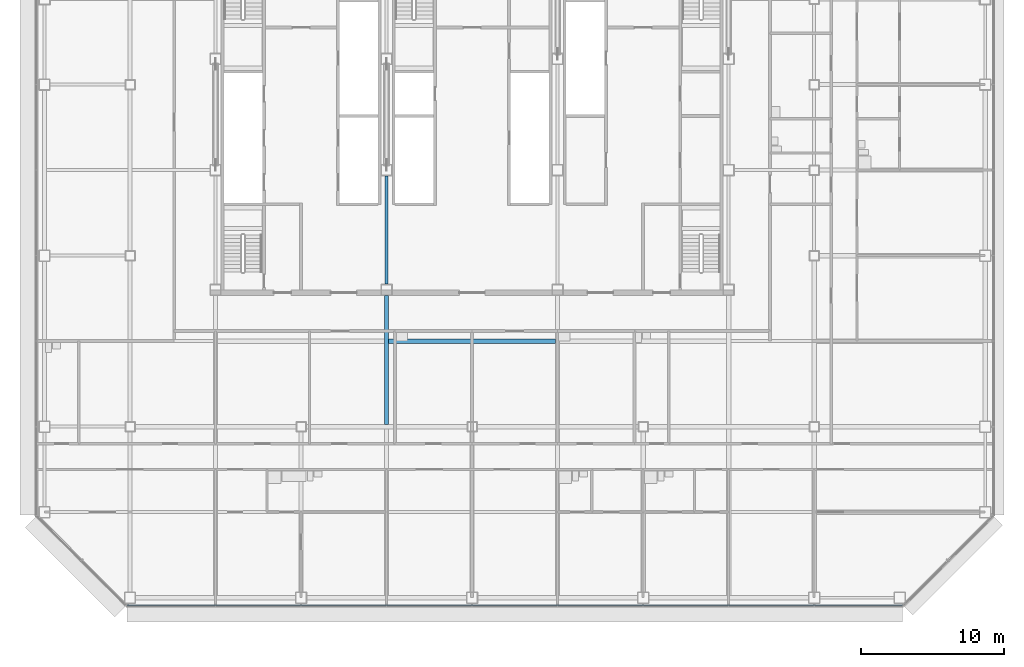
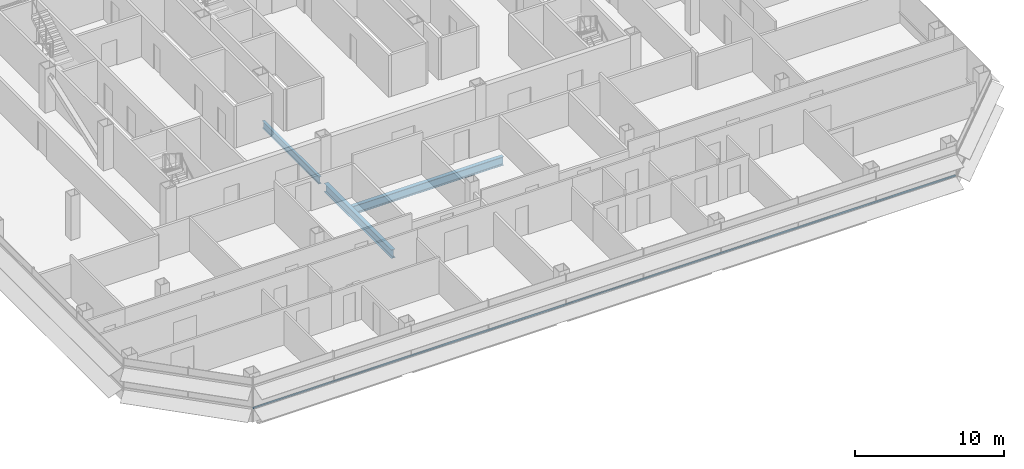
# One storey, part 7 of 25: 3 beams, 1 member, 1 element without a shape of its own.
"""IFC4 building model written with IfcOpenShell, lengths in metres."""

import ifcopenshell
import ifcopenshell.guid

model = None  # the IFC model being written
_history = None  # IfcOwnerHistory: only IFC2X3 demands one
_inside = {}  # id of a spatial element -> (the spatial element, [elements in it])
_under = {}  # id of a project, library or spatial element -> (it, [spatial elements below it])
_declared = {}  # id of a project -> (the project, [libraries it declares])
_typed = {}  # id of a type object -> (the type object, [elements of that type])
_made_of = {}  # id of a material, layer set ... -> (it, [elements and type objects made of it])


def new_model(schema):
    """Start an empty IFC model of exactly this schema.

    Asked for "IFC4X3", IfcOpenShell would pick the latest addendum, in which some entities
    have other attributes; the version numbers below select the first issue.
    IFC2X3 requires an IfcOwnerHistory on every rooted entity: one is made here for all.
    """
    global model, _history
    if schema == "IFC4X3":
        model = ifcopenshell.file(schema_version=(4, 3, 0, 0))
    else:
        model = ifcopenshell.file(schema=schema)
    _inside.clear()
    _under.clear()
    _declared.clear()
    _typed.clear()
    _made_of.clear()
    _history = None
    if model.schema == "IFC2X3":
        org = make("IfcOrganization", Name="unknown")
        user = make(
            "IfcPersonAndOrganization",
            ThePerson=make("IfcPerson", FamilyName="unknown"),
            TheOrganization=org,
        )
        app = make(
            "IfcApplication",
            ApplicationDeveloper=org,
            Version="unknown",
            ApplicationFullName="unknown",
            ApplicationIdentifier="unknown",
        )
        _history = make(
            "IfcOwnerHistory",
            OwningUser=user,
            OwningApplication=app,
            ChangeAction="ADDED",
            CreationDate=0,
        )
    return model


def make(cls, **values):
    """One entity of the class cls with the attributes given. An attribute that is None is left unset."""
    return model.create_entity(
        cls, **{name: value for name, value in values.items() if value is not None}
    )


def rooted(cls, **values):
    """An entity with a GlobalId (a new one), such as an element, a storey or a relation."""
    return make(cls, GlobalId=ifcopenshell.guid.new(), OwnerHistory=_history, **values)


def si_unit(unit_type, name, prefix=None):
    """IfcSIUnit, for example si_unit("LENGTHUNIT", "METRE", prefix="MILLI")."""
    return make("IfcSIUnit", UnitType=unit_type, Prefix=prefix, Name=name)


def assignment(units):
    """IfcUnitAssignment: the units of a project."""
    return None if units is None else make("IfcUnitAssignment", Units=units)


def point(xyz):
    """IfcCartesianPoint."""
    return None if xyz is None else make("IfcCartesianPoint", Coordinates=xyz)


def direction(xyz):
    """IfcDirection."""
    return None if xyz is None else make("IfcDirection", DirectionRatios=xyz)


def frame(location, z_axis=None, x_axis=None):
    """IfcAxis2Placement3D, a coordinate frame: its origin and axes. An axis left out is left unset."""
    return make(
        "IfcAxis2Placement3D",
        Location=point(location),
        Axis=direction(z_axis),
        RefDirection=direction(x_axis),
    )


def frame_2d(location, x_axis=None):
    """IfcAxis2Placement2D, a coordinate frame in the plane: its origin and x axis."""
    return make(
        "IfcAxis2Placement2D", Location=point(location), RefDirection=direction(x_axis)
    )


def origin():
    """The frame at (0, 0, 0) with its axes left unset."""
    return frame((0.0, 0.0, 0.0))


def origin_2d():
    """The frame at (0, 0) in the plane with its x axis left unset."""
    return frame_2d((0.0, 0.0))


def place(relative_to, where):
    """IfcLocalPlacement: puts the frame where relative to a parent placement (None: the world)."""
    return make(
        "IfcLocalPlacement", PlacementRelTo=relative_to, RelativePlacement=where
    )


def context(
    kind, dimensions, precision=None, world=None, true_north=None, identifier=None
):
    """IfcGeometricRepresentationContext, for example the 3D "Model" context."""
    return make(
        "IfcGeometricRepresentationContext",
        ContextIdentifier=identifier,
        ContextType=kind,
        CoordinateSpaceDimension=dimensions,
        Precision=precision,
        WorldCoordinateSystem=world,
        TrueNorth=true_north,
    )


def subcontext(parent, identifier, kind, view, scale=None):
    """IfcGeometricRepresentationSubContext, for example "Body" below "Model"."""
    return make(
        "IfcGeometricRepresentationSubContext",
        ContextIdentifier=identifier,
        ContextType=kind,
        ParentContext=parent,
        TargetScale=scale,
        TargetView=view,
    )


def project(units=None, contexts=None):
    """IfcProject with its units and contexts."""
    return rooted(
        "IfcProject",
        Name="project",
        RepresentationContexts=contexts,
        UnitsInContext=assignment(units),
    )


def spatial(cls, under=None, at=None, **own):
    """A site, building, storey or space (cls), placed at a placement, below another one or the project."""
    s = rooted(cls, ObjectPlacement=at, **own)
    if under is not None:
        _under.setdefault(under.id(), (under, []))[1].append(s)
    return s


def profile(cls, at=None, kind="AREA", **sizes):
    """A parametric profile (cls). Its sizes go by their IFC names, for example OverallWidth=200.0."""
    return make(cls, ProfileType=kind, Position=at, **sizes)


def rectangle(**sizes):
    """IfcRectangleProfileDef."""
    return profile("IfcRectangleProfileDef", **sizes)


def i_section(**sizes):
    """IfcIShapeProfileDef."""
    return profile("IfcIShapeProfileDef", **sizes)


def extrude(swept, where, along, depth):
    """IfcExtrudedAreaSolid: the profile swept, set in the frame where, extruded along a direction by depth."""
    return make(
        "IfcExtrudedAreaSolid",
        SweptArea=swept,
        Position=where,
        ExtrudedDirection=direction(along),
        Depth=depth,
    )


def shape(context_of_items, identifier, shape_type, items):
    """IfcShapeRepresentation: the items that make up one representation, for example the "Body"."""
    return make(
        "IfcShapeRepresentation",
        ContextOfItems=context_of_items,
        RepresentationIdentifier=identifier,
        RepresentationType=shape_type,
        Items=items,
    )


def material(Name=None, Category=None):
    """IfcMaterial."""
    return make("IfcMaterial", Name=Name, Category=Category)


def material_profile(
    of_material, cross_section, Name=None, Category=None, Priority=None
):
    """IfcMaterialProfile: a cross section and its material."""
    return make(
        "IfcMaterialProfile",
        Name=Name,
        Material=of_material,
        Profile=cross_section,
        Priority=Priority,
        Category=Category,
    )


def profile_set(profiles, Name=None, composite=None):
    """IfcMaterialProfileSet."""
    return make(
        "IfcMaterialProfileSet",
        Name=Name,
        MaterialProfiles=profiles,
        CompositeProfile=composite,
    )


def made_of(thing, what):
    """Note that an element or type object is made of a material, layer set ...; save() writes the relation."""
    if what is not None:
        _made_of.setdefault(what.id(), (what, []))[1].append(thing)
    return thing


def type_object(cls, material=None, **own):
    """A type object (cls), such as IfcWallType, which elements share."""
    return made_of(rooted(cls, **own), material)


def element(
    cls,
    number,
    at=None,
    inside=None,
    cuts=None,
    type_object=None,
    material=None,
    context=None,
    identifier="Body",
    shape_type=None,
    held_by="IfcProductDefinitionShape",
    body=None,
    shapes=None,
    **own,
):
    """One element of the class cls, such as IfcWall. Its Tag is "e" and its number.

    at: its placement. inside: the storey or other place that contains it. cuts: it is an
    opening in that element (IfcRelVoidsElement). A single representation is given by context,
    identifier, shape_type and body (its items); several are given by shapes. held_by: the class
    of the entity that holds the representations. save() writes the other relations.
    """
    e = rooted(cls, Tag="e%d" % number, ObjectPlacement=at, **own)
    if body is not None:
        shapes = [shape(context, identifier, shape_type, body)]
    if shapes is not None:
        e.Representation = make(held_by, Representations=shapes)
    if inside is not None:
        _inside.setdefault(inside.id(), (inside, []))[1].append(e)
    if cuts is not None:
        rooted(
            "IfcRelVoidsElement", RelatingBuildingElement=cuts, RelatedOpeningElement=e
        )
    if type_object is not None:
        _typed.setdefault(type_object.id(), (type_object, []))[1].append(e)
    return made_of(e, material)


def aggregate(whole, parts):
    """IfcRelAggregates: a whole, such as a stair, and the parts it consists of."""
    return rooted("IfcRelAggregates", RelatingObject=whole, RelatedObjects=parts)


def save(model, path):
    """Write the relations noted so far, then the file.

    IfcRelAggregates (storeys below a building ...), IfcRelContainedInSpatialStructure (elements
    in a storey), IfcRelDefinesByType, IfcRelAssociatesMaterial and IfcRelDeclares: one each for
    every whole, place, type object, material and project.
    """
    for whole, parts in _under.values():
        aggregate(whole, parts)
    for where, things in _inside.values():
        rooted(
            "IfcRelContainedInSpatialStructure",
            RelatedElements=things,
            RelatingStructure=where,
        )
    for kind, things in _typed.values():
        rooted("IfcRelDefinesByType", RelatedObjects=things, RelatingType=kind)
    for what, things in _made_of.values():
        rooted("IfcRelAssociatesMaterial", RelatedObjects=things, RelatingMaterial=what)
    for by, libraries in _declared.values():
        rooted("IfcRelDeclares", RelatingContext=by, RelatedDefinitions=libraries)
    model.write(path)


model = new_model("IFC4")

# Units and contexts
model_context = context("Model", 3, precision=1e-05, world=origin(), true_north=direction((0.0, 1.0)))
body_context = subcontext(model_context, "Body", "Model", "MODEL_VIEW")
ifc_project = project(units=[si_unit("LENGTHUNIT", "METRE"), si_unit("AREAUNIT", "SQUARE_METRE"), si_unit("VOLUMEUNIT", "CUBIC_METRE"), si_unit("PLANEANGLEUNIT", "RADIAN"), si_unit("MASSUNIT", "GRAM", prefix="KILO")], contexts=[model_context])

# Site, building, storey
site_placement = place(None, origin())
site = spatial("IfcSite", under=ifc_project, at=site_placement, CompositionType="ELEMENT")
building_placement = place(site_placement, origin())
building = spatial("IfcBuilding", under=site, at=building_placement, Name="Sorahane Residences", CompositionType="ELEMENT")
storey_placement = place(building_placement, frame((0.0, 0.0, 119.60009765625)))
storey = spatial("IfcBuildingStorey", under=building, at=storey_placement, Name="L26", CompositionType="ELEMENT", Elevation=119.60009765625)

# Curtain wall, member
ifc_material_1 = material(Name="Dark low-e glass and black anodised aluminium", Category="aluminium")
curtain_wall_type = type_object("IfcCurtainWallType", Name="Curtain wall CW-1 Typical unitised wall", PredefinedType="NOTDEFINED", material=ifc_material_1)
curtain_wall_placement = place(storey_placement, origin())
curtain_wall = element("IfcCurtainWall", 1, at=curtain_wall_placement, inside=storey, type_object=curtain_wall_type, Name="CW-1 curtain wall L26 S1", PredefinedType="NOTDEFINED")
ifc_material_2 = material(Name="Black anodised aluminium", Category="aluminium")
ifc_material_profile_1 = material_profile(ifc_material_2, rectangle(XDim=0.10009765625, YDim=0.06005859375, at=origin_2d()), Name="Curtain wall transom CW-1 black anodised aluminium 60x100")
ifc_profile_set_1 = profile_set([ifc_material_profile_1], Name="Black anodised aluminium")
member_type = type_object("IfcMemberType", Name="Curtain wall transom CW-1 black anodised aluminium 60x100", PredefinedType="USERDEFINED", material=ifc_profile_set_1)
member_placement = place(storey_placement, frame((-0.198486328125, -0.530029296875, 0.89990234375), z_axis=(1.0, 0.0, 0.0), x_axis=(0.0, 1.0, 0.0)))
member = element("IfcMember", 2, at=member_placement, type_object=member_type, Name="CW-1 transom L26 S1", ObjectType="TRANSOM", PredefinedType="USERDEFINED", context=body_context, shape_type="SweptSolid", body=[
    extrude(rectangle(XDim=0.10009765625, YDim=0.06005859375, at=origin_2d()), origin(), (0.0, 0.0, 1.0), 54.39697265625),
])
aggregate(curtain_wall, [member])

# Beams
ifc_material_3 = material(Name="Steel Q355B", Category="steel")
ifc_material_profile_2 = material_profile(ifc_material_3, i_section(OverallWidth=0.199951171875, OverallDepth=0.60009765625, WebThickness=0.010986328125, FlangeThickness=0.01708984375, FilletRadius=0.02392578125, at=origin_2d()), Name="HN 600x200x11x17")
ifc_profile_set_2 = profile_set([ifc_material_profile_2], Name="Steel Q355B")
beam_type_1 = type_object("IfcBeamType", Name="Steel floor beam HN 600x200x11x17 Q355B", PredefinedType="BEAM", material=ifc_profile_set_2)
beam_1_placement = place(storey_placement, frame((18.0, 22.0, -0.47998046875), z_axis=(0.0, 1.0, 0.0), x_axis=(-1.0, 0.0, 0.0)))
element("IfcBeam", 3, at=beam_1_placement, inside=storey, type_object=beam_type_1, Name="Beam L26 038", PredefinedType="BEAM", context=body_context, shape_type="SweptSolid", body=[
    extrude(i_section(OverallWidth=0.199951171875, OverallDepth=0.60009765625, WebThickness=0.010986328125, FlangeThickness=0.01708984375, FilletRadius=0.02392578125, at=origin_2d()), origin(), (0.0, 0.0, 1.0), 7.60009765625),
])
ifc_material_4 = material(Name="Steel Q355B", Category="steel")
ifc_material_profile_3 = material_profile(ifc_material_4, i_section(OverallWidth=0.300048828125, OverallDepth=0.699951171875, WebThickness=0.012939453125, FlangeThickness=0.02392578125, FilletRadius=0.028076171875, at=origin_2d()), Name="HN 700x300x13x24")
ifc_profile_set_3 = profile_set([ifc_material_profile_3], Name="Steel Q355B")
beam_type_2 = type_object("IfcBeamType", Name="Steel floor beam HN 700x300x13x24 Q355B", PredefinedType="BEAM", material=ifc_profile_set_3)
beam_2_placement = place(storey_placement, frame((18.0, 12.14990234375, -0.530029296875), z_axis=(0.0, 1.0, 0.0), x_axis=(-1.0, 0.0, 0.0)))
element("IfcBeam", 4, at=beam_2_placement, inside=storey, type_object=beam_type_2, Name="Beam L26 037", PredefinedType="BEAM", context=body_context, shape_type="SweptSolid", body=[
    extrude(i_section(OverallWidth=0.300048828125, OverallDepth=0.699951171875, WebThickness=0.012939453125, FlangeThickness=0.02392578125, FilletRadius=0.028076171875, at=origin_2d()), origin(), (0.0, 0.0, 1.0), 9.050048828125),
])
beam_3_placement = place(storey_placement, frame((18.14990234375, 18.0, -0.530029296875), z_axis=(1.0, 0.0, 0.0), x_axis=(0.0, 1.0, 0.0)))
element("IfcBeam", 5, at=beam_3_placement, inside=storey, type_object=beam_type_2, Name="Beam L26 081", PredefinedType="BEAM", context=body_context, shape_type="SweptSolid", body=[
    extrude(i_section(OverallWidth=0.300048828125, OverallDepth=0.699951171875, WebThickness=0.012939453125, FlangeThickness=0.02392578125, FilletRadius=0.028076171875, at=origin_2d()), origin(), (0.0, 0.0, 1.0), 11.7001953125),
])

save(model, "model.ifc")
